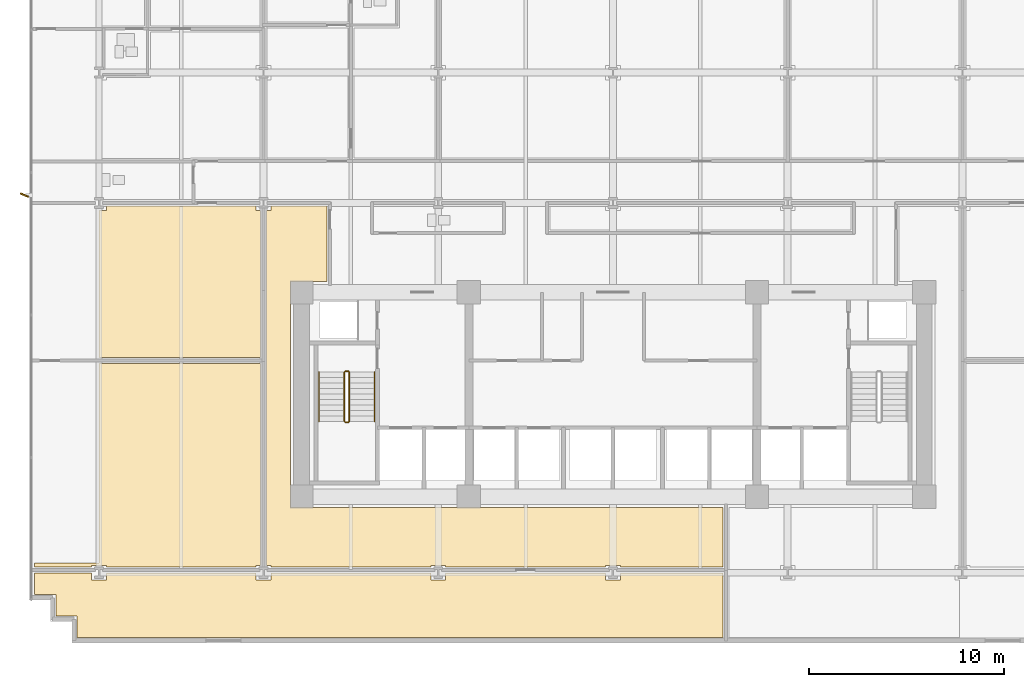
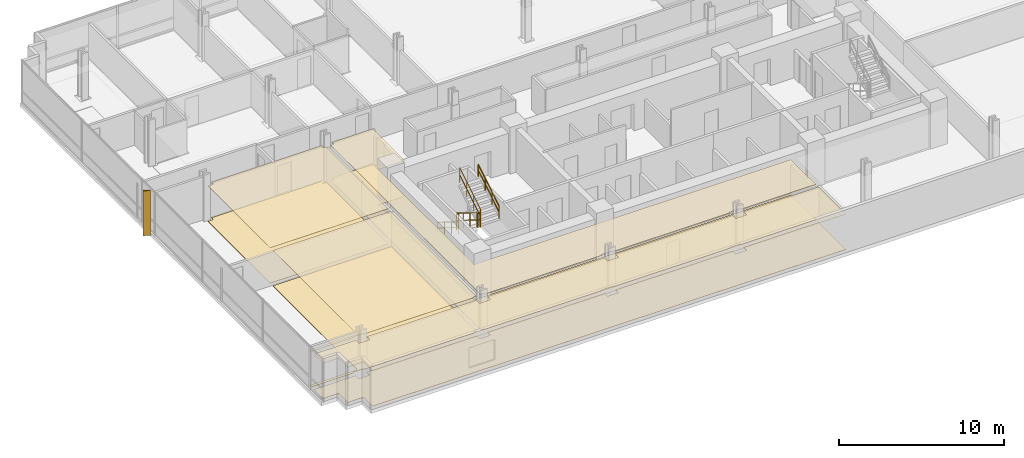
# One storey, part 16 of 20: 8 coverings, 6 railings, 1 shading device.
"""IFC4 building model written with IfcOpenShell, lengths in metres."""

from ifc_helpers import new_model, si_unit, direction, frame, origin, origin_2d, place, context, subcontext, project, spatial, polyline, rectangle, circle, outline, extrude, material, layer, layer_set, type_object, element, save


model = new_model("IFC4")

# Units and contexts
model_context = context("Model", 3, precision=1e-05, world=origin(), true_north=direction((0.0, 1.0)))
body_context = subcontext(model_context, "Body", "Model", "MODEL_VIEW")
ifc_project = project(units=[si_unit("LENGTHUNIT", "METRE"), si_unit("AREAUNIT", "SQUARE_METRE"), si_unit("VOLUMEUNIT", "CUBIC_METRE"), si_unit("PLANEANGLEUNIT", "RADIAN"), si_unit("MASSUNIT", "GRAM", prefix="KILO")], contexts=[model_context])

# Site, building, storey
site_placement = place(None, origin())
site = spatial("IfcSite", under=ifc_project, at=site_placement, CompositionType="ELEMENT")
building_placement = place(site_placement, origin())
building = spatial("IfcBuilding", under=site, at=building_placement, Name="Solmavex Isthmus Hotel", CompositionType="ELEMENT")
storey_placement = place(building_placement, frame((0.0, 0.0, 57.449951171875)))
storey = spatial("IfcBuildingStorey", under=building, at=storey_placement, Name="L15", CompositionType="ELEMENT", Elevation=57.449951171875)

# Coverings
ifc_material_1 = material(Name="Gypsum plasterboard lining", Category="gypsum")
ifc_layer_1 = layer(ifc_material_1, 0.030029296875)
ifc_layer_set_1 = layer_set([ifc_layer_1], Name="Gypsum plasterboard lining")
covering_type_1 = type_object("IfcCoveringType", Name="COV-CEIL-GYP", PredefinedType="CEILING", material=ifc_layer_set_1)
covering_1_placement = place(storey_placement, frame((0.0, 0.0, 2.6201171875)))
element("IfcCovering", 1, at=covering_1_placement, inside=storey, type_object=covering_type_1, Name="Suspended Acoustic Ceiling L15-FL10", PredefinedType="CEILING", context=body_context, shape_type="SweptSolid", body=[
    extrude(outline(polyline([(-26.02001953125, 1.945068359375), (-26.02001953125, 1.719970703125), (-26.39990234375, 1.719970703125), (-26.39990234375, -5.844970703125), (-18.10693359375, -5.844970703125), (-18.10693359375, 1.719970703125), (-18.33203125, 1.719970703125), (-18.33203125, 1.945068359375), (-26.02001953125, 1.945068359375)])), origin(), (0.0, 0.0, 1.0), 0.030029296875),
])
covering_2_placement = place(storey_placement, frame((0.0, 0.0, 2.6201171875)))
element("IfcCovering", 2, at=covering_2_placement, inside=storey, type_object=covering_type_1, Name="Suspended Acoustic Ceiling L15-FL12", PredefinedType="CEILING", context=body_context, shape_type="SweptSolid", body=[
    extrude(outline(polyline([(-17.797119140625, -16.52001953125), (-17.572021484375, -16.52001953125), (-17.572021484375, -16.594970703125), (-9.35595703125, -16.594970703125), (-9.35595703125, -16.52001953125), (-8.595947265625, -16.52001953125), (-8.595947265625, -16.594970703125), (-0.3798828125, -16.594970703125), (-0.3798828125, -16.52001953125), (0.3798828125, -16.52001953125), (0.3798828125, -16.594970703125), (5.64501953125, -16.594970703125), (5.64501953125, -13.554931640625), (-16.554931640625, -13.554931640625), (-16.554931640625, -1.945068359375), (-14.698974609375, -1.945068359375), (-14.698974609375, 1.945068359375), (-17.572021484375, 1.945068359375), (-17.572021484375, 1.719970703125), (-17.797119140625, 1.719970703125), (-17.797119140625, -16.52001953125)])), origin(), (0.0, 0.0, 1.0), 0.030029296875),
])
covering_3_placement = place(storey_placement, frame((0.0, 0.0, 2.6201171875)))
element("IfcCovering", 3, at=covering_3_placement, inside=storey, type_object=covering_type_1, Name="Suspended Acoustic Ceiling L15-FL14", PredefinedType="CEILING", context=body_context, shape_type="SweptSolid", body=[
    extrude(outline(polyline([(-26.02001953125, -16.905029296875), (-26.02001953125, -17.280029296875), (-26.780029296875, -17.280029296875), (-26.780029296875, -16.905029296875), (-29.72509765625, -16.905029296875), (-29.72509765625, -18.02490234375), (-28.625, -18.02490234375), (-28.625, -19.125), (-27.52490234375, -19.125), (-27.52490234375, -20.22509765625), (5.64501953125, -20.22509765625), (5.64501953125, -16.905029296875), (0.3798828125, -16.905029296875), (0.3798828125, -17.280029296875), (-0.3798828125, -17.280029296875), (-0.3798828125, -16.905029296875), (-8.595947265625, -16.905029296875), (-8.595947265625, -17.280029296875), (-9.35595703125, -17.280029296875), (-9.35595703125, -16.905029296875), (-17.572021484375, -16.905029296875), (-17.572021484375, -17.280029296875), (-18.33203125, -17.280029296875), (-18.33203125, -16.905029296875), (-26.02001953125, -16.905029296875)])), origin(), (0.0, 0.0, 1.0), 0.030029296875),
])
covering_4_placement = place(storey_placement, frame((0.0, 0.0, 2.6201171875)))
element("IfcCovering", 4, at=covering_4_placement, inside=storey, type_object=covering_type_1, Name="Suspended Acoustic Ceiling L15-FL15", PredefinedType="CEILING", context=body_context, shape_type="SweptSolid", body=[
    extrude(outline(polyline([(-26.780029296875, -16.594970703125), (-26.780029296875, -16.52001953125), (-26.02001953125, -16.52001953125), (-26.02001953125, -16.594970703125), (-18.33203125, -16.594970703125), (-18.33203125, -16.52001953125), (-18.10693359375, -16.52001953125), (-18.10693359375, -6.155029296875), (-26.39990234375, -6.155029296875), (-26.39990234375, -16.39990234375), (-29.72509765625, -16.39990234375), (-29.72509765625, -16.594970703125), (-26.780029296875, -16.594970703125)])), origin(), (0.0, 0.0, 1.0), 0.030029296875),
])
ifc_material_2 = material(Name="Travertine natural stone", Category="masonry")
ifc_layer_2 = layer(ifc_material_2, 0.02490234375)
ifc_layer_set_2 = layer_set([ifc_layer_2], Name="Travertine natural stone")
covering_type_2 = type_object("IfcCoveringType", Name="COV-FLOR-STN", PredefinedType="FLOORING", material=ifc_layer_set_2)
covering_5_placement = place(storey_placement, origin())
element("IfcCovering", 5, at=covering_5_placement, inside=storey, type_object=covering_type_2, Name="Stone and Timber Floor Finish L15-FL10", PredefinedType="FLOORING", context=body_context, shape_type="SweptSolid", body=[
    extrude(outline(polyline([(-26.02001953125, 1.945068359375), (-26.02001953125, 1.719970703125), (-26.39990234375, 1.719970703125), (-26.39990234375, -5.844970703125), (-18.10693359375, -5.844970703125), (-18.10693359375, 1.719970703125), (-18.33203125, 1.719970703125), (-18.33203125, 1.945068359375), (-26.02001953125, 1.945068359375)])), origin(), (0.0, 0.0, 1.0), 0.025146484375),
])
covering_6_placement = place(storey_placement, origin())
element("IfcCovering", 6, at=covering_6_placement, inside=storey, type_object=covering_type_2, Name="Stone and Timber Floor Finish L15-FL12", PredefinedType="FLOORING", context=body_context, shape_type="SweptSolid", body=[
    extrude(outline(polyline([(-17.797119140625, -16.52001953125), (-17.572021484375, -16.52001953125), (-17.572021484375, -16.594970703125), (-9.35595703125, -16.594970703125), (-9.35595703125, -16.52001953125), (-8.595947265625, -16.52001953125), (-8.595947265625, -16.594970703125), (-0.3798828125, -16.594970703125), (-0.3798828125, -16.52001953125), (0.3798828125, -16.52001953125), (0.3798828125, -16.594970703125), (5.64501953125, -16.594970703125), (5.64501953125, -13.554931640625), (-16.554931640625, -13.554931640625), (-16.554931640625, -1.945068359375), (-14.698974609375, -1.945068359375), (-14.698974609375, 1.945068359375), (-17.572021484375, 1.945068359375), (-17.572021484375, 1.719970703125), (-17.797119140625, 1.719970703125), (-17.797119140625, -16.52001953125)])), origin(), (0.0, 0.0, 1.0), 0.025146484375),
])
covering_7_placement = place(storey_placement, origin())
element("IfcCovering", 7, at=covering_7_placement, inside=storey, type_object=covering_type_2, Name="Stone and Timber Floor Finish L15-FL14", PredefinedType="FLOORING", context=body_context, shape_type="SweptSolid", body=[
    extrude(outline(polyline([(-26.02001953125, -16.905029296875), (-26.02001953125, -17.280029296875), (-26.780029296875, -17.280029296875), (-26.780029296875, -16.905029296875), (-29.72509765625, -16.905029296875), (-29.72509765625, -18.02490234375), (-28.625, -18.02490234375), (-28.625, -19.125), (-27.52490234375, -19.125), (-27.52490234375, -20.22509765625), (5.64501953125, -20.22509765625), (5.64501953125, -16.905029296875), (0.3798828125, -16.905029296875), (0.3798828125, -17.280029296875), (-0.3798828125, -17.280029296875), (-0.3798828125, -16.905029296875), (-8.595947265625, -16.905029296875), (-8.595947265625, -17.280029296875), (-9.35595703125, -17.280029296875), (-9.35595703125, -16.905029296875), (-17.572021484375, -16.905029296875), (-17.572021484375, -17.280029296875), (-18.33203125, -17.280029296875), (-18.33203125, -16.905029296875), (-26.02001953125, -16.905029296875)])), origin(), (0.0, 0.0, 1.0), 0.025146484375),
])
covering_8_placement = place(storey_placement, origin())
element("IfcCovering", 8, at=covering_8_placement, inside=storey, type_object=covering_type_2, Name="Stone and Timber Floor Finish L15-FL15", PredefinedType="FLOORING", context=body_context, shape_type="SweptSolid", body=[
    extrude(outline(polyline([(-26.780029296875, -16.594970703125), (-26.780029296875, -16.52001953125), (-26.02001953125, -16.52001953125), (-26.02001953125, -16.594970703125), (-18.33203125, -16.594970703125), (-18.33203125, -16.52001953125), (-18.10693359375, -16.52001953125), (-18.10693359375, -6.155029296875), (-26.39990234375, -6.155029296875), (-26.39990234375, -16.39990234375), (-29.72509765625, -16.39990234375), (-29.72509765625, -16.594970703125), (-26.780029296875, -16.594970703125)])), origin(), (0.0, 0.0, 1.0), 0.025146484375),
])

# Railings
ifc_material_3 = material(Name="Stainless steel 316", Category="steel")
ifc_layer_3 = layer(ifc_material_3, 0.06005859375)
ifc_layer_set_3 = layer_set([ifc_layer_3], Name="Stainless steel 316")
railing_type_1 = type_object("IfcRailingType", Name="RAIL-STAIR-GD", PredefinedType="GUARDRAIL", material=ifc_layer_set_3)
railing_1_placement = place(storey_placement, frame((-13.800048828125, -6.60009765625, 0.172607421875)))
element("IfcRailing", 9, at=railing_1_placement, inside=storey, type_object=railing_type_1, Name="L15 ST-1 stair guard 1", PredefinedType="GUARDRAIL", context=body_context, shape_type="SweptSolid", body=[
    extrude(circle(Radius=0.02392578125, at=origin_2d()), frame((0.0, 0.0, 1.09619140625), z_axis=(0.0, -0.851400495292, 0.524516154772), x_axis=(1.0, 0.0, 0.0)), (0.0, 0.0, 1.0), 2.9599609375),
    extrude(circle(Radius=0.02392578125, at=origin_2d()), frame((0.0, 0.0, 0.56005859375), z_axis=(0.0, -0.851400495292, 0.524516154772), x_axis=(1.0, 0.0, 0.0)), (0.0, 0.0, 1.0), 2.9599609375),
    extrude(circle(Radius=0.02099609375, at=origin_2d()), origin(), (0.0, 0.0, 1.0), 1.072021484375),
    extrude(circle(Radius=0.02099609375, at=origin_2d()), frame((0.0, -0.840087890625, 0.517578125)), (0.0, 0.0, 1.0), 1.072021484375),
    extrude(circle(Radius=0.02099609375, at=origin_2d()), frame((0.0, -1.679931640625, 1.034912109375)), (0.0, 0.0, 1.0), 1.072021484375),
    extrude(circle(Radius=0.02099609375, at=origin_2d()), frame((0.0, -2.52001953125, 1.552490234375)), (0.0, 0.0, 1.0), 1.072021484375),
])
railing_2_placement = place(storey_placement, frame((-13.75, -9.169921875, 1.72509765625)))
element("IfcRailing", 10, at=railing_2_placement, inside=storey, type_object=railing_type_1, Name="L15 ST-1 stair guard 2", PredefinedType="GUARDRAIL", context=body_context, shape_type="SweptSolid", body=[
    extrude(circle(Radius=0.02392578125, at=origin_2d()), frame((0.0, 0.0, 1.09619140625), z_axis=(1.0, 0.0, 0.0), x_axis=(0.0, 1.0, 0.0)), (0.0, 0.0, 1.0), 0.14990234375),
    extrude(circle(Radius=0.02392578125, at=origin_2d()), frame((0.0, 0.0, 0.56005859375), z_axis=(1.0, 0.0, 0.0), x_axis=(0.0, 1.0, 0.0)), (0.0, 0.0, 1.0), 0.14990234375),
    extrude(circle(Radius=0.02099609375, at=origin_2d()), origin(), (0.0, 0.0, 1.0), 1.072021484375),
    extrude(circle(Radius=0.02099609375, at=origin_2d()), frame((0.14990234375, 0.0, 0.0)), (0.0, 0.0, 1.0), 1.072021484375),
])
railing_3_placement = place(storey_placement, frame((-13.550048828125, -9.1201171875, 1.8974609375)))
element("IfcRailing", 11, at=railing_3_placement, inside=storey, type_object=railing_type_1, Name="L15 ST-1 stair guard 3", PredefinedType="GUARDRAIL", context=body_context, shape_type="SweptSolid", body=[
    extrude(circle(Radius=0.02392578125, at=origin_2d()), frame((0.0, 0.0, 1.09619140625), z_axis=(0.0, 0.851400495292, 0.524516154772), x_axis=(-1.0, 0.0, 0.0)), (0.0, 0.0, 1.0), 2.9599609375),
    extrude(circle(Radius=0.02392578125, at=origin_2d()), frame((0.0, 0.0, 0.56005859375), z_axis=(0.0, 0.851400495292, 0.524516154772), x_axis=(-1.0, 0.0, 0.0)), (0.0, 0.0, 1.0), 2.9599609375),
    extrude(circle(Radius=0.02099609375, at=origin_2d()), origin(), (0.0, 0.0, 1.0), 1.072021484375),
    extrude(circle(Radius=0.02099609375, at=origin_2d()), frame((0.0, 0.840087890625, 0.517578125)), (0.0, 0.0, 1.0), 1.072021484375),
    extrude(circle(Radius=0.02099609375, at=origin_2d()), frame((0.0, 1.679931640625, 1.034912109375)), (0.0, 0.0, 1.0), 1.072021484375),
    extrude(circle(Radius=0.02099609375, at=origin_2d()), frame((0.0, 2.52001953125, 1.552490234375)), (0.0, 0.0, 1.0), 1.072021484375),
])
railing_4_placement = place(storey_placement, frame((-13.75, -6.550048828125, 0.0)))
element("IfcRailing", 12, at=railing_4_placement, inside=storey, type_object=railing_type_1, Name="L15 ST-1 stair guard 4", PredefinedType="GUARDRAIL", context=body_context, shape_type="SweptSolid", body=[
    extrude(circle(Radius=0.02392578125, at=origin_2d()), frame((0.0, 0.0, 1.09619140625), z_axis=(1.0, 0.0, 0.0), x_axis=(0.0, 1.0, 0.0)), (0.0, 0.0, 1.0), 0.14990234375),
    extrude(circle(Radius=0.02392578125, at=origin_2d()), frame((0.0, 0.0, 0.56005859375), z_axis=(1.0, 0.0, 0.0), x_axis=(0.0, 1.0, 0.0)), (0.0, 0.0, 1.0), 0.14990234375),
    extrude(circle(Radius=0.02099609375, at=origin_2d()), origin(), (0.0, 0.0, 1.0), 1.072021484375),
    extrude(circle(Radius=0.02099609375, at=origin_2d()), frame((0.14990234375, 0.0, 0.0)), (0.0, 0.0, 1.0), 1.072021484375),
])
ifc_layer_4 = layer(ifc_material_3, 0.050048828125)
ifc_layer_set_4 = layer_set([ifc_layer_4], Name="Stainless steel 316")
railing_type_2 = type_object("IfcRailingType", Name="RAIL-STAIR-HR", PredefinedType="HANDRAIL", material=ifc_layer_set_4)
railing_5_placement = place(storey_placement, frame((-15.10009765625, -6.60009765625, 0.172607421875)))
element("IfcRailing", 13, at=railing_5_placement, inside=storey, type_object=railing_type_2, Name="L15 ST-1 stair handrail 1", PredefinedType="HANDRAIL", context=body_context, shape_type="SweptSolid", body=[
    extrude(circle(Radius=0.02392578125, at=origin_2d()), frame((0.0, 0.0, 0.8759765625), z_axis=(0.0, -0.851400495292, 0.524516154772), x_axis=(1.0, 0.0, 0.0)), (0.0, 0.0, 1.0), 2.9599609375),
    extrude(circle(Radius=0.02392578125, at=origin_2d()), frame((0.0, 0.0, 0.449951171875), z_axis=(0.0, -0.851400495292, 0.524516154772), x_axis=(1.0, 0.0, 0.0)), (0.0, 0.0, 1.0), 2.9599609375),
    extrude(circle(Radius=0.02099609375, at=origin_2d()), origin(), (0.0, 0.0, 1.0), 0.851806640625),
    extrude(circle(Radius=0.02099609375, at=origin_2d()), frame((0.0, -0.840087890625, 0.517578125)), (0.0, 0.0, 1.0), 0.851806640625),
    extrude(circle(Radius=0.02099609375, at=origin_2d()), frame((0.0, -1.679931640625, 1.034912109375)), (0.0, 0.0, 1.0), 0.851806640625),
    extrude(circle(Radius=0.02099609375, at=origin_2d()), frame((0.0, -2.52001953125, 1.552490234375)), (0.0, 0.0, 1.0), 0.851806640625),
])
railing_6_placement = place(storey_placement, frame((-12.25, -9.1201171875, 1.8974609375)))
element("IfcRailing", 14, at=railing_6_placement, inside=storey, type_object=railing_type_2, Name="L15 ST-1 stair handrail 2", PredefinedType="HANDRAIL", context=body_context, shape_type="SweptSolid", body=[
    extrude(circle(Radius=0.02392578125, at=origin_2d()), frame((0.0, 0.0, 0.8759765625), z_axis=(0.0, 0.851400495292, 0.524516154772), x_axis=(-1.0, 0.0, 0.0)), (0.0, 0.0, 1.0), 2.9599609375),
    extrude(circle(Radius=0.02392578125, at=origin_2d()), frame((0.0, 0.0, 0.449951171875), z_axis=(0.0, 0.851400495292, 0.524516154772), x_axis=(-1.0, 0.0, 0.0)), (0.0, 0.0, 1.0), 2.9599609375),
    extrude(circle(Radius=0.02099609375, at=origin_2d()), origin(), (0.0, 0.0, 1.0), 0.851806640625),
    extrude(circle(Radius=0.02099609375, at=origin_2d()), frame((0.0, 0.840087890625, 0.517578125)), (0.0, 0.0, 1.0), 0.851806640625),
    extrude(circle(Radius=0.02099609375, at=origin_2d()), frame((0.0, 1.679931640625, 1.034912109375)), (0.0, 0.0, 1.0), 0.851806640625),
    extrude(circle(Radius=0.02099609375, at=origin_2d()), frame((0.0, 2.52001953125, 1.552490234375)), (0.0, 0.0, 1.0), 0.851806640625),
])

# Shading device
ifc_material_4 = material(Name="Aluminium alloy 6063-T6", Category="aluminium")
shading_device_type = type_object("IfcShadingDeviceType", Name="SHD-FIN-BRONZE", PredefinedType="USERDEFINED", material=ifc_material_4)
shading_device_placement = place(storey_placement, frame((-30.239990234375, 2.5, -0.139892578125), z_axis=(0.0, 0.0, 1.0), x_axis=(-0.913545457643, 0.406736643076, 0.0)))
element("IfcShadingDevice", 15, at=shading_device_placement, inside=storey, type_object=shading_device_type, Name="Anodised Aluminium Solar Fin L15-W1", ObjectType="SOLAR_FIN", PredefinedType="USERDEFINED", context=body_context, shape_type="SweptSolid", body=[
    extrude(rectangle(XDim=0.449951171875, YDim=0.080078125, at=origin_2d()), origin(), (0.0, 0.0, 1.0), 3.330078125),
])

save(model, "model.ifc")
